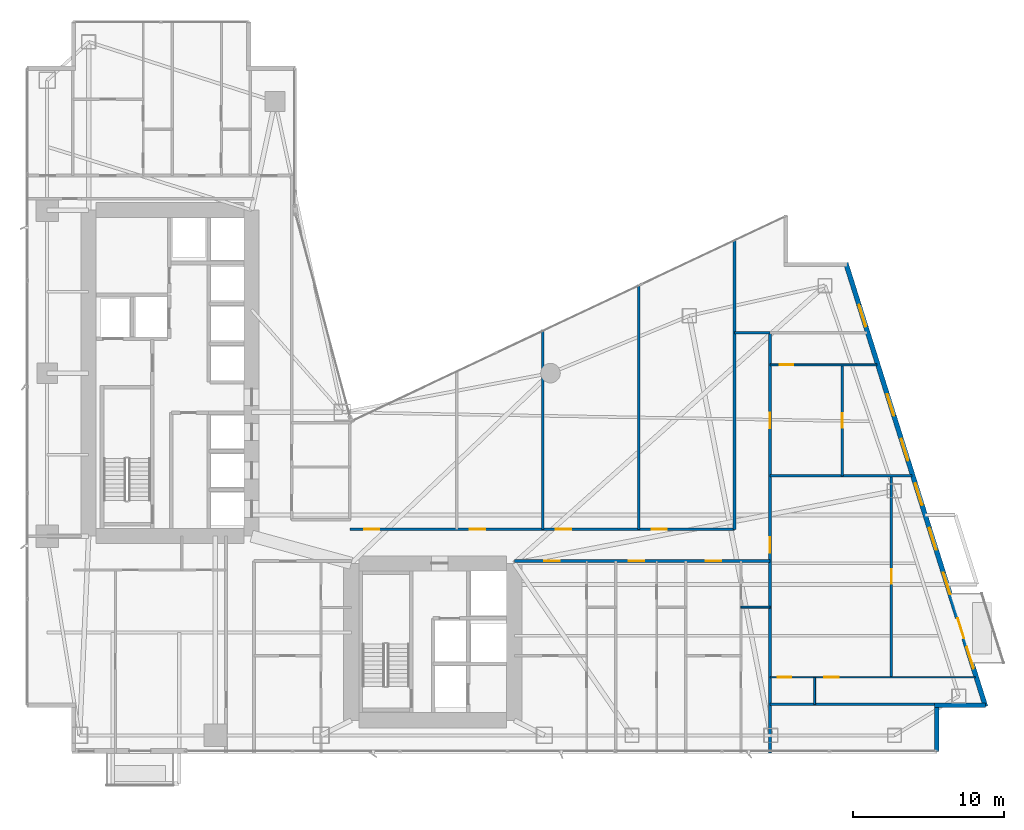
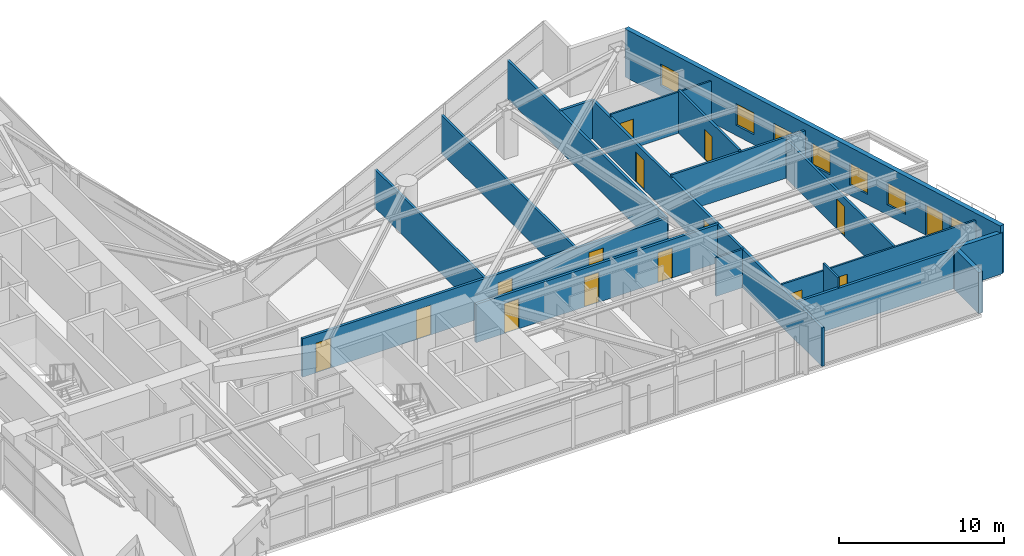
# One storey, part 24 of 30: 18 walls, 15 doors, 7 windows, 22 openings.
"""IFC4 building model written with IfcOpenShell, lengths in metres."""

from ifc_helpers import new_model, si_unit, direction, frame, frame_2d, origin, place, context, subcontext, project, spatial, rectangle, extrude, material, layer, layer_set, type_object, element, fill, save


model = new_model("IFC4")

# Units and contexts
model_context = context("Model", 3, precision=1e-05, world=origin(), true_north=direction((0.0, 1.0)))
body_context = subcontext(model_context, "Body", "Model", "MODEL_VIEW")
ifc_project = project(units=[si_unit("LENGTHUNIT", "METRE"), si_unit("AREAUNIT", "SQUARE_METRE"), si_unit("VOLUMEUNIT", "CUBIC_METRE"), si_unit("PLANEANGLEUNIT", "RADIAN"), si_unit("MASSUNIT", "GRAM", prefix="KILO")], contexts=[model_context])

# Site, building, storey
site_placement = place(None, origin())
site = spatial("IfcSite", under=ifc_project, at=site_placement, CompositionType="ELEMENT")
building_placement = place(site_placement, origin())
building = spatial("IfcBuilding", under=site, at=building_placement, Name="Calvorn Quay Hotel", CompositionType="ELEMENT")
storey_placement = place(building_placement, frame((0.0, 0.0, 54.60009765625)))
storey = spatial("IfcBuildingStorey", under=building, at=storey_placement, Name="L12", CompositionType="ELEMENT", Elevation=54.60009765625)

# Wall, openings, doors
ifc_material_1 = material(Name="Acoustic Fireboard Steel-Stud Partition", Category="steel")
ifc_layer_1 = layer(ifc_material_1, 0.179931640625)
ifc_layer_set_1 = layer_set([ifc_layer_1], Name="WL-CORR-FIRE-180")
wall_type_1 = type_object("IfcWallType", Name="WL-CORR-FIRE-180", PredefinedType="PARTITIONING", material=ifc_layer_set_1)
wall_1_placement = place(storey_placement, frame((32.39990234375, 15.14990234375, 0.0), z_axis=(0.0, 0.0, 1.0), x_axis=(1.0, 0.0, 0.0)))
wall_1 = element("IfcWall", 1, at=wall_1_placement, inside=storey, type_object=wall_type_1, Name="Partition Wall L12-WL-CORR-SE-S", PredefinedType="PARTITIONING", context=body_context, shape_type="SweptSolid", body=[
    extrude(rectangle(XDim=16.9501953125, YDim=0.179931640625, at=frame_2d((8.47509765625, 0.0))), origin(), (0.0, 0.0, 1.0), 2.83984375),
])
opening_1_placement = place(wall_1_placement, frame((1.989990234375, 0.0, 0.0)))
opening_1 = element("IfcOpeningElement", 2, at=opening_1_placement, cuts=wall_1, Name="Opening D-L12-U05", PredefinedType="OPENING", context=body_context, shape_type="SweptSolid", body=[
    extrude(rectangle(XDim=1.02001953125, YDim=2.199951171875, at=frame_2d((0.510009765625, 1.10009765625))), frame((0.0, 0.099853515625, 0.0), z_axis=(0.0, -1.0, 0.0), x_axis=(1.0, 0.0, 0.0)), (0.0, 0.0, 1.0), 0.199951171875),
])
opening_2_placement = place(wall_1_placement, frame((7.580078125, 0.0, 0.0)))
opening_2 = element("IfcOpeningElement", 3, at=opening_2_placement, cuts=wall_1, Name="Opening D-L12-U06", PredefinedType="OPENING", context=body_context, shape_type="SweptSolid", body=[
    extrude(rectangle(XDim=1.02001953125, YDim=2.199951171875, at=frame_2d((0.510009765625, 1.10009765625))), frame((0.0, 0.099853515625, 0.0), z_axis=(0.0, -1.0, 0.0), x_axis=(1.0, 0.0, 0.0)), (0.0, 0.0, 1.0), 0.199951171875),
])
opening_3_placement = place(wall_1_placement, frame((12.68994140625, 0.0, 0.0)))
opening_3 = element("IfcOpeningElement", 4, at=opening_3_placement, cuts=wall_1, Name="Opening D-L12-U07", PredefinedType="OPENING", context=body_context, shape_type="SweptSolid", body=[
    extrude(rectangle(XDim=1.02001953125, YDim=2.199951171875, at=frame_2d((0.510009765625, 1.10009765625))), frame((0.0, 0.099853515625, 0.0), z_axis=(0.0, -1.0, 0.0), x_axis=(1.0, 0.0, 0.0)), (0.0, 0.0, 1.0), 0.199951171875),
])
ifc_material_2 = material(Name="Solid-Core Walnut Veneer Hotel Fire Door")
door_type_1 = type_object("IfcDoorType", Name="DR-GUEST-ENTRY-1020", OperationType="NOTDEFINED", PredefinedType="DOOR", material=ifc_material_2)
door_1_placement = place(opening_1_placement, origin())
door_1 = element("IfcDoor", 5, at=door_1_placement, inside=storey, type_object=door_type_1, Name="South-East Unit Door U05 (L12)", OperationType="SINGLE_SWING_LEFT", OverallHeight=2.199951171875, OverallWidth=1.02001953125, PredefinedType="DOOR", context=body_context, shape_type="SweptSolid", body=[
    extrude(rectangle(XDim=1.02001953125, YDim=2.199951171875, at=frame_2d((0.510009765625, 1.10009765625))), frame((0.0, 0.02490234375, 0.0), z_axis=(0.0, -1.0, 0.0), x_axis=(1.0, 0.0, 0.0)), (0.0, 0.0, 1.0), 0.050048828125),
])
fill(opening_1, door_1)
door_2_placement = place(opening_2_placement, origin())
door_2 = element("IfcDoor", 6, at=door_2_placement, inside=storey, type_object=door_type_1, Name="South-East Unit Door U06 (L12)", OperationType="SINGLE_SWING_RIGHT", OverallHeight=2.199951171875, OverallWidth=1.02001953125, PredefinedType="DOOR", context=body_context, shape_type="SweptSolid", body=[
    extrude(rectangle(XDim=1.02001953125, YDim=2.199951171875, at=frame_2d((0.510009765625, 1.10009765625))), frame((0.0, 0.02490234375, 0.0), z_axis=(0.0, -1.0, 0.0), x_axis=(1.0, 0.0, 0.0)), (0.0, 0.0, 1.0), 0.050048828125),
])
fill(opening_2, door_2)
door_3_placement = place(opening_3_placement, origin())
door_3 = element("IfcDoor", 7, at=door_3_placement, inside=storey, type_object=door_type_1, Name="South-East Unit Door U07 (L12)", OperationType="SINGLE_SWING_LEFT", OverallHeight=2.199951171875, OverallWidth=1.02001953125, PredefinedType="DOOR", context=body_context, shape_type="SweptSolid", body=[
    extrude(rectangle(XDim=1.02001953125, YDim=2.199951171875, at=frame_2d((0.510009765625, 1.10009765625))), frame((0.0, 0.02490234375, 0.0), z_axis=(0.0, -1.0, 0.0), x_axis=(1.0, 0.0, 0.0)), (0.0, 0.0, 1.0), 0.050048828125),
])
fill(opening_3, door_3)

wall_2_placement = place(storey_placement, frame((21.5, 17.25, 0.0), z_axis=(0.0, 0.0, 1.0), x_axis=(1.0, 0.0, 0.0)))
wall_2 = element("IfcWall", 8, at=wall_2_placement, inside=storey, type_object=wall_type_1, Name="Partition Wall L12-WL-CORR-NE-N", PredefinedType="PARTITIONING", context=body_context, shape_type="SweptSolid", body=[
    extrude(rectangle(XDim=25.5, YDim=0.179931640625, at=frame_2d((12.75, 0.0))), origin(), (0.0, 0.0, 1.0), 2.83984375),
])
opening_4_placement = place(wall_2_placement, frame((0.949951171875, 0.0, 0.0)))
opening_4 = element("IfcOpeningElement", 9, at=opening_4_placement, cuts=wall_2, Name="Opening D-L12-NS1", PredefinedType="OPENING", context=body_context, shape_type="SweptSolid", body=[
    extrude(rectangle(XDim=1.02001953125, YDim=2.199951171875, at=frame_2d((0.510009765625, 1.10009765625))), frame((0.0, 0.099853515625, 0.0), z_axis=(0.0, -1.0, 0.0), x_axis=(1.0, 0.0, 0.0)), (0.0, 0.0, 1.0), 0.199951171875),
])
opening_5_placement = place(wall_2_placement, frame((7.949951171875, 0.0, 0.0)))
opening_5 = element("IfcOpeningElement", 10, at=opening_5_placement, cuts=wall_2, Name="Opening D-L12-NS2", PredefinedType="OPENING", context=body_context, shape_type="SweptSolid", body=[
    extrude(rectangle(XDim=1.02001953125, YDim=2.199951171875, at=frame_2d((0.510009765625, 1.10009765625))), frame((0.0, 0.099853515625, 0.0), z_axis=(0.0, -1.0, 0.0), x_axis=(1.0, 0.0, 0.0)), (0.0, 0.0, 1.0), 0.199951171875),
])
opening_6_placement = place(wall_2_placement, frame((13.64990234375, 0.0, 0.0)))
opening_6 = element("IfcOpeningElement", 11, at=opening_6_placement, cuts=wall_2, Name="Opening D-L12-NS3", PredefinedType="OPENING", context=body_context, shape_type="SweptSolid", body=[
    extrude(rectangle(XDim=1.02001953125, YDim=2.199951171875, at=frame_2d((0.510009765625, 1.10009765625))), frame((0.0, 0.099853515625, 0.0), z_axis=(0.0, -1.0, 0.0), x_axis=(1.0, 0.0, 0.0)), (0.0, 0.0, 1.0), 0.199951171875),
])
opening_7_placement = place(wall_2_placement, frame((20.0, 0.0, 0.0)))
opening_7 = element("IfcOpeningElement", 12, at=opening_7_placement, cuts=wall_2, Name="Opening D-L12-NS4", PredefinedType="OPENING", context=body_context, shape_type="SweptSolid", body=[
    extrude(rectangle(XDim=1.02001953125, YDim=2.199951171875, at=frame_2d((0.510009765625, 1.10009765625))), frame((0.0, 0.099853515625, 0.0), z_axis=(0.0, -1.0, 0.0), x_axis=(1.0, 0.0, 0.0)), (0.0, 0.0, 1.0), 0.199951171875),
])
door_4_placement = place(opening_4_placement, origin())
door_4 = element("IfcDoor", 13, at=door_4_placement, inside=storey, type_object=door_type_1, Name="Conservatory Salon Door 1 (L12)", OperationType="SINGLE_SWING_RIGHT", OverallHeight=2.199951171875, OverallWidth=1.02001953125, PredefinedType="DOOR", context=body_context, shape_type="SweptSolid", body=[
    extrude(rectangle(XDim=1.02001953125, YDim=2.199951171875, at=frame_2d((0.510009765625, 1.10009765625))), frame((0.0, 0.02490234375, 0.0), z_axis=(0.0, -1.0, 0.0), x_axis=(1.0, 0.0, 0.0)), (0.0, 0.0, 1.0), 0.050048828125),
])
fill(opening_4, door_4)
door_5_placement = place(opening_5_placement, origin())
door_5 = element("IfcDoor", 14, at=door_5_placement, inside=storey, type_object=door_type_1, Name="Conservatory Salon Door 2 (L12)", OperationType="SINGLE_SWING_LEFT", OverallHeight=2.199951171875, OverallWidth=1.02001953125, PredefinedType="DOOR", context=body_context, shape_type="SweptSolid", body=[
    extrude(rectangle(XDim=1.02001953125, YDim=2.199951171875, at=frame_2d((0.510009765625, 1.10009765625))), frame((0.0, 0.02490234375, 0.0), z_axis=(0.0, -1.0, 0.0), x_axis=(1.0, 0.0, 0.0)), (0.0, 0.0, 1.0), 0.050048828125),
])
fill(opening_5, door_5)
door_6_placement = place(opening_6_placement, origin())
door_6 = element("IfcDoor", 15, at=door_6_placement, inside=storey, type_object=door_type_1, Name="Conservatory Salon Door 3 (L12)", OperationType="SINGLE_SWING_RIGHT", OverallHeight=2.199951171875, OverallWidth=1.02001953125, PredefinedType="DOOR", context=body_context, shape_type="SweptSolid", body=[
    extrude(rectangle(XDim=1.02001953125, YDim=2.199951171875, at=frame_2d((0.510009765625, 1.10009765625))), frame((0.0, 0.02490234375, 0.0), z_axis=(0.0, -1.0, 0.0), x_axis=(1.0, 0.0, 0.0)), (0.0, 0.0, 1.0), 0.050048828125),
])
fill(opening_6, door_6)
door_7_placement = place(opening_7_placement, origin())
door_7 = element("IfcDoor", 16, at=door_7_placement, inside=storey, type_object=door_type_1, Name="Conservatory Salon Door 4 (L12)", OperationType="SINGLE_SWING_LEFT", OverallHeight=2.199951171875, OverallWidth=1.02001953125, PredefinedType="DOOR", context=body_context, shape_type="SweptSolid", body=[
    extrude(rectangle(XDim=1.02001953125, YDim=2.199951171875, at=frame_2d((0.510009765625, 1.10009765625))), frame((0.0, 0.02490234375, 0.0), z_axis=(0.0, -1.0, 0.0), x_axis=(1.0, 0.0, 0.0)), (0.0, 0.0, 1.0), 0.050048828125),
])
fill(opening_7, door_7)

# Walls
wall_3_placement = place(storey_placement, frame((47.0, 17.25, 0.0), z_axis=(0.0, 0.0, 1.0), x_axis=(0.0, 1.0, 0.0)))
element("IfcWall", 17, at=wall_3_placement, inside=storey, type_object=wall_type_1, Name="Partition Wall L12-WL-NE-END-E", PredefinedType="PARTITIONING", context=body_context, shape_type="SweptSolid", body=[
    extrude(rectangle(XDim=19.219970703125, YDim=0.179931640625, at=frame_2d((9.60986328125, 0.0))), origin(), (0.0, 0.0, 1.0), 2.83984375),
])
wall_4_placement = place(storey_placement, frame((49.35009765625, 5.659912109375, 0.0), z_axis=(0.0, 0.0, 1.0), x_axis=(1.0, 0.0, 0.0)))
element("IfcWall", 18, at=wall_4_placement, inside=storey, type_object=wall_type_1, Name="Partition Wall L12-WL-TIP-S", PredefinedType="PARTITIONING", context=body_context, shape_type="SweptSolid", body=[
    extrude(rectangle(XDim=11.0498046875, YDim=0.179931640625, at=frame_2d((5.52490234375, 0.0))), origin(), (0.0, 0.0, 1.0), 2.83984375),
])

# Wall, openings, doors
wall_5_placement = place(storey_placement, frame((49.35009765625, 2.43994140625, 0.0), z_axis=(0.0, 0.0, 1.0), x_axis=(0.0, 1.0, 0.0)))
wall_5 = element("IfcWall", 19, at=wall_5_placement, inside=storey, type_object=wall_type_1, Name="Partition Wall L12-WL-CORR-TIP-E", PredefinedType="PARTITIONING", context=body_context, shape_type="SweptSolid", body=[
    extrude(rectangle(XDim=27.840087890625, YDim=0.179931640625, at=frame_2d((13.919921875, 0.0))), origin(), (0.0, 0.0, 1.0), 2.83984375),
])
opening_8_placement = place(wall_5_placement, frame((13.260009765625, 0.0, 0.0)))
opening_8 = element("IfcOpeningElement", 20, at=opening_8_placement, cuts=wall_5, Name="Opening D-L12-U08", PredefinedType="OPENING", context=body_context, shape_type="SweptSolid", body=[
    extrude(rectangle(XDim=1.02001953125, YDim=2.199951171875, at=frame_2d((0.510009765625, 1.10009765625))), frame((0.0, 0.099853515625, 0.0), z_axis=(0.0, -1.0, 0.0), x_axis=(1.0, 0.0, 0.0)), (0.0, 0.0, 1.0), 0.199951171875),
])
opening_9_placement = place(wall_5_placement, frame((21.52001953125, 0.0, 0.0)))
opening_9 = element("IfcOpeningElement", 21, at=opening_9_placement, cuts=wall_5, Name="Opening D-L12-U09", PredefinedType="OPENING", context=body_context, shape_type="SweptSolid", body=[
    extrude(rectangle(XDim=1.02001953125, YDim=2.199951171875, at=frame_2d((0.510009765625, 1.10009765625))), frame((0.0, 0.099853515625, 0.0), z_axis=(0.0, -1.0, 0.0), x_axis=(1.0, 0.0, 0.0)), (0.0, 0.0, 1.0), 0.199951171875),
])
door_8_placement = place(opening_8_placement, origin())
door_8 = element("IfcDoor", 22, at=door_8_placement, inside=storey, type_object=door_type_1, Name="Terrace Suite Door U08 (L12)", OperationType="SINGLE_SWING_LEFT", OverallHeight=2.199951171875, OverallWidth=1.02001953125, PredefinedType="DOOR", context=body_context, shape_type="SweptSolid", body=[
    extrude(rectangle(XDim=1.02001953125, YDim=2.199951171875, at=frame_2d((0.510009765625, 1.10009765625))), frame((0.0, 0.02490234375, 0.0), z_axis=(0.0, -1.0, 0.0), x_axis=(1.0, 0.0, 0.0)), (0.0, 0.0, 1.0), 0.050048828125),
])
fill(opening_8, door_8)
door_9_placement = place(opening_9_placement, origin())
door_9 = element("IfcDoor", 23, at=door_9_placement, inside=storey, type_object=door_type_1, Name="Horizon Suite Door U09 (L12)", OperationType="SINGLE_SWING_RIGHT", OverallHeight=2.199951171875, OverallWidth=1.02001953125, PredefinedType="DOOR", context=body_context, shape_type="SweptSolid", body=[
    extrude(rectangle(XDim=1.02001953125, YDim=2.199951171875, at=frame_2d((0.510009765625, 1.10009765625))), frame((0.0, 0.02490234375, 0.0), z_axis=(0.0, -1.0, 0.0), x_axis=(1.0, 0.0, 0.0)), (0.0, 0.0, 1.0), 0.050048828125),
])
fill(opening_9, door_9)

# Walls
wall_6_placement = place(storey_placement, frame((47.0, 30.280029296875, 0.0), z_axis=(0.0, 0.0, 1.0), x_axis=(1.0, 0.0, 0.0)))
element("IfcWall", 24, at=wall_6_placement, inside=storey, type_object=wall_type_1, Name="Partition Wall L12-WL-CORR-TIP-NN", PredefinedType="PARTITIONING", context=body_context, shape_type="SweptSolid", body=[
    extrude(rectangle(XDim=2.35009765625, YDim=0.179931640625, at=frame_2d((1.175048828125, 0.0))), origin(), (0.0, 0.0, 1.0), 2.83984375),
])
ifc_material_3 = material(Name="Moisture-Resistant Tile-Backed Partition")
ifc_layer_2 = layer(ifc_material_3, 0.125)
ifc_layer_set_2 = layer_set([ifc_layer_2], Name="WL-ENSUITE-125")
wall_type_2 = type_object("IfcWallType", Name="WL-ENSUITE-125", PredefinedType="PARTITIONING", material=ifc_layer_set_2)
wall_7_placement = place(storey_placement, frame((47.419921875, 12.10009765625, 0.0), z_axis=(0.0, 0.0, 1.0), x_axis=(1.0, 0.0, 0.0)))
element("IfcWall", 25, at=wall_7_placement, inside=storey, type_object=wall_type_2, Name="Partition Wall L12-WL-U07-BDV", PredefinedType="PARTITIONING", context=body_context, shape_type="SweptSolid", body=[
    extrude(rectangle(XDim=1.93017578125, YDim=0.125, at=frame_2d((0.965087890625, 0.0))), origin(), (0.0, 0.0, 1.0), 2.83984375),
])
wall_8_placement = place(storey_placement, frame((52.300048828125, 5.659912109375, 0.0), z_axis=(0.0, 0.0, 1.0), x_axis=(0.0, 1.0, 0.0)))
element("IfcWall", 26, at=wall_8_placement, inside=storey, type_object=wall_type_2, Name="Partition Wall L12-WL-U08-BDV", PredefinedType="PARTITIONING", context=body_context, shape_type="SweptSolid", body=[
    extrude(rectangle(XDim=1.7900390625, YDim=0.125, at=frame_2d((0.89501953125, 0.0))), origin(), (0.0, 0.0, 1.0), 3.559814453125),
])

# Wall, openings, doors
wall_9_placement = place(storey_placement, frame((49.35009765625, 7.449951171875, 0.0), z_axis=(0.0, 0.0, 1.0), x_axis=(1.0, 0.0, 0.0)))
wall_9 = element("IfcWall", 27, at=wall_9_placement, inside=storey, type_object=wall_type_2, Name="Partition Wall L12-WL-U08-BH", PredefinedType="PARTITIONING", context=body_context, shape_type="SweptSolid", body=[
    extrude(rectangle(XDim=13.60986328125, YDim=0.125, at=frame_2d((6.804931640625, 0.0))), origin(), (0.0, 0.0, 1.0), 3.039794921875),
])
opening_10_placement = place(wall_9_placement, frame((0.5, 0.0, 0.0)))
opening_10 = element("IfcOpeningElement", 28, at=opening_10_placement, cuts=wall_9, Name="Opening D-L12-E08", PredefinedType="OPENING", context=body_context, shape_type="SweptSolid", body=[
    extrude(rectangle(XDim=0.89990234375, YDim=2.14990234375, at=frame_2d((0.449951171875, 1.074951171875))), frame((0.0, 0.072509765625, 0.0), z_axis=(0.0, -1.0, 0.0), x_axis=(1.0, 0.0, 0.0)), (0.0, 0.0, 1.0), 0.14501953125),
])
opening_11_placement = place(wall_9_placement, frame((3.60009765625, 0.0, 0.0)))
opening_11 = element("IfcOpeningElement", 29, at=opening_11_placement, cuts=wall_9, Name="Opening D-L12-S08", PredefinedType="OPENING", context=body_context, shape_type="SweptSolid", body=[
    extrude(rectangle(XDim=0.9599609375, YDim=2.199951171875, at=frame_2d((0.47998046875, 1.10009765625))), frame((0.0, 0.072509765625, 0.0), z_axis=(0.0, -1.0, 0.0), x_axis=(1.0, 0.0, 0.0)), (0.0, 0.0, 1.0), 0.14501953125),
])
ifc_material_4 = material(Name="Moisture-Sealed Timber En-Suite Door", Category="wood")
door_type_2 = type_object("IfcDoorType", Name="DR-ENSUITE-900", OperationType="NOTDEFINED", PredefinedType="DOOR", material=ifc_material_4)
door_10_placement = place(opening_10_placement, origin())
door_10 = element("IfcDoor", 30, at=door_10_placement, inside=storey, type_object=door_type_2, Name="En-Suite Door 08", OperationType="SINGLE_SWING_LEFT", OverallHeight=2.14990234375, OverallWidth=0.89990234375, PredefinedType="DOOR", context=body_context, shape_type="SweptSolid", body=[
    extrude(rectangle(XDim=0.89990234375, YDim=2.14990234375, at=frame_2d((0.449951171875, 1.074951171875))), frame((0.0, 0.02490234375, 0.0), z_axis=(0.0, -1.0, 0.0), x_axis=(1.0, 0.0, 0.0)), (0.0, 0.0, 1.0), 0.050048828125),
])
fill(opening_10, door_10)
ifc_material_5 = material(Name="Solid Timber Internal Suite Door", Category="wood")
door_type_3 = type_object("IfcDoorType", Name="DR-SUITE-INT-960", OperationType="NOTDEFINED", PredefinedType="DOOR", material=ifc_material_5)
door_11_placement = place(opening_11_placement, origin())
door_11 = element("IfcDoor", 31, at=door_11_placement, inside=storey, type_object=door_type_3, Name="Executive Work Office Door 08", OperationType="SINGLE_SWING_RIGHT", OverallHeight=2.199951171875, OverallWidth=0.9599609375, PredefinedType="DOOR", context=body_context, shape_type="SweptSolid", body=[
    extrude(rectangle(XDim=0.9599609375, YDim=2.199951171875, at=frame_2d((0.47998046875, 1.10009765625))), frame((0.0, 0.02490234375, 0.0), z_axis=(0.0, -1.0, 0.0), x_axis=(1.0, 0.0, 0.0)), (0.0, 0.0, 1.0), 0.050048828125),
])
fill(opening_11, door_11)

# Wall, opening, door
wall_10_placement = place(storey_placement, frame((49.35009765625, 28.14990234375, 0.0), z_axis=(0.0, 0.0, 1.0), x_axis=(1.0, 0.0, 0.0)))
wall_10 = element("IfcWall", 32, at=wall_10_placement, inside=storey, type_object=wall_type_2, Name="Partition Wall L12-WL-U09-BH", PredefinedType="PARTITIONING", context=body_context, shape_type="SweptSolid", body=[
    extrude(rectangle(XDim=7.079833984375, YDim=0.125, at=frame_2d((3.5400390625, 0.0))), origin(), (0.0, 0.0, 1.0), 3.039794921875),
])
opening_12_placement = place(wall_10_placement, frame((0.64990234375, 0.0, 0.0)))
opening_12 = element("IfcOpeningElement", 33, at=opening_12_placement, cuts=wall_10, Name="Opening D-L12-E09", PredefinedType="OPENING", context=body_context, shape_type="SweptSolid", body=[
    extrude(rectangle(XDim=0.89990234375, YDim=2.14990234375, at=frame_2d((0.449951171875, 1.074951171875))), frame((0.0, 0.072509765625, 0.0), z_axis=(0.0, -1.0, 0.0), x_axis=(1.0, 0.0, 0.0)), (0.0, 0.0, 1.0), 0.14501953125),
])
door_12_placement = place(opening_12_placement, origin())
door_12 = element("IfcDoor", 34, at=door_12_placement, inside=storey, type_object=door_type_2, Name="En-Suite Door 09", OperationType="SINGLE_SWING_LEFT", OverallHeight=2.14990234375, OverallWidth=0.89990234375, PredefinedType="DOOR", context=body_context, shape_type="SweptSolid", body=[
    extrude(rectangle(XDim=0.89990234375, YDim=2.14990234375, at=frame_2d((0.449951171875, 1.074951171875))), frame((0.0, 0.02490234375, 0.0), z_axis=(0.0, -1.0, 0.0), x_axis=(1.0, 0.0, 0.0)), (0.0, 0.0, 1.0), 0.050048828125),
])
fill(opening_12, door_12)

# Walls
ifc_material_6 = material(Name="Concrete C40", Category="concrete")
ifc_layer_3 = layer(ifc_material_6, 0.320068359375)
ifc_layer_set_3 = layer_set([ifc_layer_3], Name="WL-EXT-SPANDREL-320")
wall_type_3 = type_object("IfcWallType", Name="WL-EXT-SPANDREL-320", PredefinedType="SOLIDWALL", material=ifc_layer_set_3)
wall_11_placement = place(storey_placement, frame((60.39990234375, 2.52001953125, 0.0), z_axis=(0.0, 0.0, 1.0), x_axis=(0.0, 1.0, 0.0)))
element("IfcWall", 35, at=wall_11_placement, inside=storey, type_object=wall_type_3, Name="Notched Corner Spandrel L12-SE1", PredefinedType="SOLIDWALL", context=body_context, shape_type="SweptSolid", body=[
    extrude(rectangle(XDim=2.93994140625, YDim=0.280029296875, at=frame_2d((1.469970703125, 0.0))), origin(), (0.0, 0.0, 1.0), 3.039794921875),
])
wall_12_placement = place(storey_placement, frame((60.260009765625, 5.60009765625, 0.0), z_axis=(0.0, 0.0, 1.0), x_axis=(1.0, 0.0, 0.0)))
element("IfcWall", 36, at=wall_12_placement, inside=storey, type_object=wall_type_3, Name="Notched Corner Spandrel L12-SE2", PredefinedType="SOLIDWALL", context=body_context, shape_type="SweptSolid", body=[
    extrude(rectangle(XDim=3.3798828125, YDim=0.280029296875, at=frame_2d((1.68994140625, 0.0))), origin(), (0.0, 0.0, 1.0), 3.039794921875),
])

# Wall, openings, door, windows
wall_13_placement = place(storey_placement, frame((63.6298828125, 5.5048828125, 0.0), z_axis=(0.0, 0.0, 1.0), x_axis=(-0.300501856448, 0.953781229775, 0.0)))
wall_13 = element("IfcWall", 37, at=wall_13_placement, inside=storey, type_object=wall_type_3, Name="East Stepped Waterfront Exterior Wall (L12)", PredefinedType="SOLIDWALL", context=body_context, shape_type="SweptSolid", body=[
    extrude(rectangle(XDim=30.814453125, YDim=0.320068359375, at=frame_2d((15.4072265625, 0.0))), origin(), (0.0, 0.0, 1.0), 3.559814453125),
])
opening_13_placement = place(wall_13_placement, frame((4.7470703125, 0.0, 0.0)))
opening_13 = element("IfcOpeningElement", 38, at=opening_13_placement, cuts=wall_13, Name="Opening DB-L12-1", PredefinedType="OPENING", context=body_context, shape_type="SweptSolid", body=[
    extrude(rectangle(XDim=1.39990234375, YDim=2.25, at=frame_2d((0.699951171875, 1.125))), frame((0.0, 0.169921875, 0.0), z_axis=(0.0, -1.0, 0.0), x_axis=(1.0, 0.0, 0.0)), (0.0, 0.0, 1.0), 0.340087890625),
])
opening_14_placement = place(wall_13_placement, frame((2.64990234375, 0.0, 0.75)))
opening_14 = element("IfcOpeningElement", 39, at=opening_14_placement, cuts=wall_13, Name="Opening WG-L12-E1", PredefinedType="OPENING", context=body_context, shape_type="SweptSolid", body=[
    extrude(rectangle(XDim=1.5, YDim=1.60009765625, at=frame_2d((0.75, 0.800048828125))), frame((0.0, 0.169921875, 0.0), z_axis=(0.0, -1.0, 0.0), x_axis=(1.0, 0.0, 0.0)), (0.0, 0.0, 1.0), 0.340087890625),
])
opening_15_placement = place(wall_13_placement, frame((7.800048828125, 0.0, 0.75)))
opening_15 = element("IfcOpeningElement", 40, at=opening_15_placement, cuts=wall_13, Name="Opening WG-L12-E2", PredefinedType="OPENING", context=body_context, shape_type="SweptSolid", body=[
    extrude(rectangle(XDim=1.5, YDim=1.60009765625, at=frame_2d((0.75, 0.800048828125))), frame((0.0, 0.169921875, 0.0), z_axis=(0.0, -1.0, 0.0), x_axis=(1.0, 0.0, 0.0)), (0.0, 0.0, 1.0), 0.340087890625),
])
opening_16_placement = place(wall_13_placement, frame((10.89990234375, 0.0, 0.75)))
opening_16 = element("IfcOpeningElement", 41, at=opening_16_placement, cuts=wall_13, Name="Opening WG-L12-E3", PredefinedType="OPENING", context=body_context, shape_type="SweptSolid", body=[
    extrude(rectangle(XDim=1.5, YDim=1.60009765625, at=frame_2d((0.75, 0.800048828125))), frame((0.0, 0.169921875, 0.0), z_axis=(0.0, -1.0, 0.0), x_axis=(1.0, 0.0, 0.0)), (0.0, 0.0, 1.0), 0.340087890625),
])
opening_17_placement = place(wall_13_placement, frame((14.0, 0.0, 0.75)))
opening_17 = element("IfcOpeningElement", 42, at=opening_17_placement, cuts=wall_13, Name="Opening WG-L12-E4", PredefinedType="OPENING", context=body_context, shape_type="SweptSolid", body=[
    extrude(rectangle(XDim=1.5, YDim=1.60009765625, at=frame_2d((0.75, 0.800048828125))), frame((0.0, 0.169921875, 0.0), z_axis=(0.0, -1.0, 0.0), x_axis=(1.0, 0.0, 0.0)), (0.0, 0.0, 1.0), 0.340087890625),
])
opening_18_placement = place(wall_13_placement, frame((17.10009765625, 0.0, 0.75)))
opening_18 = element("IfcOpeningElement", 43, at=opening_18_placement, cuts=wall_13, Name="Opening WG-L12-E5", PredefinedType="OPENING", context=body_context, shape_type="SweptSolid", body=[
    extrude(rectangle(XDim=1.5, YDim=1.60009765625, at=frame_2d((0.75, 0.800048828125))), frame((0.0, 0.169921875, 0.0), z_axis=(0.0, -1.0, 0.0), x_axis=(1.0, 0.0, 0.0)), (0.0, 0.0, 1.0), 0.340087890625),
])
opening_19_placement = place(wall_13_placement, frame((20.199951171875, 0.0, 0.75)))
opening_19 = element("IfcOpeningElement", 44, at=opening_19_placement, cuts=wall_13, Name="Opening WG-L12-E6", PredefinedType="OPENING", context=body_context, shape_type="SweptSolid", body=[
    extrude(rectangle(XDim=1.5, YDim=1.60009765625, at=frame_2d((0.75, 0.800048828125))), frame((0.0, 0.169921875, 0.0), z_axis=(0.0, -1.0, 0.0), x_axis=(1.0, 0.0, 0.0)), (0.0, 0.0, 1.0), 0.340087890625),
])
opening_20_placement = place(wall_13_placement, frame((26.39990234375, 0.0, 0.75)))
opening_20 = element("IfcOpeningElement", 45, at=opening_20_placement, cuts=wall_13, Name="Opening WG-L12-E7", PredefinedType="OPENING", context=body_context, shape_type="SweptSolid", body=[
    extrude(rectangle(XDim=1.5, YDim=1.60009765625, at=frame_2d((0.75, 0.800048828125))), frame((0.0, 0.169921875, 0.0), z_axis=(0.0, -1.0, 0.0), x_axis=(1.0, 0.0, 0.0)), (0.0, 0.0, 1.0), 0.340087890625),
])
ifc_material_7 = material(Name="Typhoon-Rated Low-E Aluminium Terrace Door", Category="aluminium")
door_type_4 = type_object("IfcDoorType", Name="DR-BALCONY-GLZ-1400", OperationType="NOTDEFINED", PredefinedType="DOOR", material=ifc_material_7)
door_13_placement = place(opening_13_placement, origin())
door_13 = element("IfcDoor", 46, at=door_13_placement, inside=storey, type_object=door_type_4, Name="Tree Balcony Terrace Door L12-BALC-E", OperationType="SINGLE_SWING_LEFT", OverallHeight=2.25, OverallWidth=1.39990234375, PredefinedType="DOOR", context=body_context, shape_type="SweptSolid", body=[
    extrude(rectangle(XDim=1.39990234375, YDim=2.25, at=frame_2d((0.699951171875, 1.125))), frame((0.0, 0.02490234375, 0.0), z_axis=(0.0, -1.0, 0.0), x_axis=(1.0, 0.0, 0.0)), (0.0, 0.0, 1.0), 0.050048828125),
])
fill(opening_13, door_13)
ifc_material_8 = material(Name="Self-Closing Class B Fire Window")
window_type = type_object("IfcWindowType", Name="WIN-REFUGE-1500x1600", PartitioningType="SINGLE_PANEL", PredefinedType="WINDOW", material=ifc_material_8)
window_1_placement = place(opening_14_placement, origin())
window_1 = element("IfcWindow", 47, at=window_1_placement, inside=storey, type_object=window_type, Name="East Facade Window L12-E1", OverallHeight=1.60009765625, OverallWidth=1.5, PartitioningType="SINGLE_PANEL", PredefinedType="WINDOW", context=body_context, shape_type="SweptSolid", body=[
    extrude(rectangle(XDim=1.5, YDim=1.60009765625, at=frame_2d((0.75, 0.800048828125))), frame((0.0, 0.030029296875, 0.0), z_axis=(0.0, -1.0, 0.0), x_axis=(1.0, 0.0, 0.0)), (0.0, 0.0, 1.0), 0.06005859375),
])
fill(opening_14, window_1)
window_2_placement = place(opening_15_placement, origin())
window_2 = element("IfcWindow", 48, at=window_2_placement, inside=storey, type_object=window_type, Name="East Facade Window L12-E2", OverallHeight=1.60009765625, OverallWidth=1.5, PartitioningType="SINGLE_PANEL", PredefinedType="WINDOW", context=body_context, shape_type="SweptSolid", body=[
    extrude(rectangle(XDim=1.5, YDim=1.60009765625, at=frame_2d((0.75, 0.800048828125))), frame((0.0, 0.030029296875, 0.0), z_axis=(0.0, -1.0, 0.0), x_axis=(1.0, 0.0, 0.0)), (0.0, 0.0, 1.0), 0.06005859375),
])
fill(opening_15, window_2)
window_3_placement = place(opening_16_placement, origin())
window_3 = element("IfcWindow", 49, at=window_3_placement, inside=storey, type_object=window_type, Name="East Facade Window L12-E3", OverallHeight=1.60009765625, OverallWidth=1.5, PartitioningType="SINGLE_PANEL", PredefinedType="WINDOW", context=body_context, shape_type="SweptSolid", body=[
    extrude(rectangle(XDim=1.5, YDim=1.60009765625, at=frame_2d((0.75, 0.800048828125))), frame((0.0, 0.030029296875, 0.0), z_axis=(0.0, -1.0, 0.0), x_axis=(1.0, 0.0, 0.0)), (0.0, 0.0, 1.0), 0.06005859375),
])
fill(opening_16, window_3)
window_4_placement = place(opening_17_placement, origin())
window_4 = element("IfcWindow", 50, at=window_4_placement, inside=storey, type_object=window_type, Name="East Facade Window L12-E4", OverallHeight=1.60009765625, OverallWidth=1.5, PartitioningType="SINGLE_PANEL", PredefinedType="WINDOW", context=body_context, shape_type="SweptSolid", body=[
    extrude(rectangle(XDim=1.5, YDim=1.60009765625, at=frame_2d((0.75, 0.800048828125))), frame((0.0, 0.030029296875, 0.0), z_axis=(0.0, -1.0, 0.0), x_axis=(1.0, 0.0, 0.0)), (0.0, 0.0, 1.0), 0.06005859375),
])
fill(opening_17, window_4)
window_5_placement = place(opening_18_placement, origin())
window_5 = element("IfcWindow", 51, at=window_5_placement, inside=storey, type_object=window_type, Name="East Facade Window L12-E5", OverallHeight=1.60009765625, OverallWidth=1.5, PartitioningType="SINGLE_PANEL", PredefinedType="WINDOW", context=body_context, shape_type="SweptSolid", body=[
    extrude(rectangle(XDim=1.5, YDim=1.60009765625, at=frame_2d((0.75, 0.800048828125))), frame((0.0, 0.030029296875, 0.0), z_axis=(0.0, -1.0, 0.0), x_axis=(1.0, 0.0, 0.0)), (0.0, 0.0, 1.0), 0.06005859375),
])
fill(opening_18, window_5)
window_6_placement = place(opening_19_placement, origin())
window_6 = element("IfcWindow", 52, at=window_6_placement, inside=storey, type_object=window_type, Name="East Facade Window L12-E6", OverallHeight=1.60009765625, OverallWidth=1.5, PartitioningType="SINGLE_PANEL", PredefinedType="WINDOW", context=body_context, shape_type="SweptSolid", body=[
    extrude(rectangle(XDim=1.5, YDim=1.60009765625, at=frame_2d((0.75, 0.800048828125))), frame((0.0, 0.030029296875, 0.0), z_axis=(0.0, -1.0, 0.0), x_axis=(1.0, 0.0, 0.0)), (0.0, 0.0, 1.0), 0.06005859375),
])
fill(opening_19, window_6)
window_7_placement = place(opening_20_placement, origin())
window_7 = element("IfcWindow", 53, at=window_7_placement, inside=storey, type_object=window_type, Name="East Facade Window L12-E7", OverallHeight=1.60009765625, OverallWidth=1.5, PartitioningType="SINGLE_PANEL", PredefinedType="WINDOW", context=body_context, shape_type="SweptSolid", body=[
    extrude(rectangle(XDim=1.5, YDim=1.60009765625, at=frame_2d((0.75, 0.800048828125))), frame((0.0, 0.030029296875, 0.0), z_axis=(0.0, -1.0, 0.0), x_axis=(1.0, 0.0, 0.0)), (0.0, 0.0, 1.0), 0.06005859375),
])
fill(opening_20, window_7)

# Walls
ifc_material_9 = material(Name="Double-Stud Acoustic Gypsum Partition")
ifc_layer_4 = layer(ifc_material_9, 0.159912109375)
ifc_layer_set_4 = layer_set([ifc_layer_4], Name="WL-INTERSUITE-160")
wall_type_4 = type_object("IfcWallType", Name="WL-INTERSUITE-160", PredefinedType="PARTITIONING", material=ifc_layer_set_4)
wall_14_placement = place(storey_placement, frame((34.300048828125, 17.25, 0.0), z_axis=(0.0, 0.0, 1.0), x_axis=(0.0, 1.0, 0.0)))
element("IfcWall", 54, at=wall_14_placement, inside=storey, type_object=wall_type_4, Name="Partition Wall L12-WL-NE-DIV-2", PredefinedType="PARTITIONING", context=body_context, shape_type="SweptSolid", body=[
    extrude(rectangle(XDim=13.22998046875, YDim=0.159912109375, at=frame_2d((6.614990234375, 0.0))), origin(), (0.0, 0.0, 1.0), 2.83984375),
])
wall_15_placement = place(storey_placement, frame((40.64990234375, 17.25, 0.0), z_axis=(0.0, 0.0, 1.0), x_axis=(0.0, 1.0, 0.0)))
element("IfcWall", 55, at=wall_15_placement, inside=storey, type_object=wall_type_4, Name="Partition Wall L12-WL-NE-DIV-3", PredefinedType="PARTITIONING", context=body_context, shape_type="SweptSolid", body=[
    extrude(rectangle(XDim=16.22998046875, YDim=0.159912109375, at=frame_2d((8.114990234375, 0.0))), origin(), (0.0, 0.0, 1.0), 2.83984375),
])

# Wall, opening, door
wall_16_placement = place(storey_placement, frame((57.389892578125, 7.449951171875, 0.0), z_axis=(0.0, 0.0, 1.0), x_axis=(0.0, 1.0, 0.0)))
wall_16 = element("IfcWall", 56, at=wall_16_placement, inside=storey, type_object=wall_type_4, Name="Partition Wall L12-WL-U08-MSP", PredefinedType="PARTITIONING", context=body_context, shape_type="SweptSolid", body=[
    extrude(rectangle(XDim=13.35009765625, YDim=0.159912109375, at=frame_2d((6.675048828125, 0.0))), origin(), (0.0, 0.0, 1.0), 2.83984375),
])
opening_21_placement = place(wall_16_placement, frame((6.199951171875, 0.0, 0.0)))
opening_21 = element("IfcOpeningElement", 57, at=opening_21_placement, cuts=wall_16, Name="Opening D-L12-M08", PredefinedType="OPENING", context=body_context, shape_type="SweptSolid", body=[
    extrude(rectangle(XDim=0.9599609375, YDim=2.199951171875, at=frame_2d((0.47998046875, 1.10009765625))), frame((0.0, 0.08984375, 0.0), z_axis=(0.0, -1.0, 0.0), x_axis=(1.0, 0.0, 0.0)), (0.0, 0.0, 1.0), 0.179931640625),
])
door_14_placement = place(opening_21_placement, origin())
door_14 = element("IfcDoor", 58, at=door_14_placement, inside=storey, type_object=door_type_3, Name="Suite Bedroom Door 08", OperationType="SINGLE_SWING_LEFT", OverallHeight=2.199951171875, OverallWidth=0.9599609375, PredefinedType="DOOR", context=body_context, shape_type="SweptSolid", body=[
    extrude(rectangle(XDim=0.9599609375, YDim=2.199951171875, at=frame_2d((0.47998046875, 1.10009765625))), frame((0.0, 0.02490234375, 0.0), z_axis=(0.0, -1.0, 0.0), x_axis=(1.0, 0.0, 0.0)), (0.0, 0.0, 1.0), 0.050048828125),
])
fill(opening_21, door_14)

wall_17_placement = place(storey_placement, frame((54.1298828125, 20.800048828125, 0.0), z_axis=(0.0, 0.0, 1.0), x_axis=(0.0, 1.0, 0.0)))
wall_17 = element("IfcWall", 59, at=wall_17_placement, inside=storey, type_object=wall_type_4, Name="Partition Wall L12-WL-U09-MSP", PredefinedType="PARTITIONING", context=body_context, shape_type="SweptSolid", body=[
    extrude(rectangle(XDim=7.349853515625, YDim=0.159912109375, at=frame_2d((3.6748046875, 0.0))), origin(), (0.0, 0.0, 1.0), 3.18994140625),
])
opening_22_placement = place(wall_17_placement, frame((3.18994140625, 0.0, 0.0)))
opening_22 = element("IfcOpeningElement", 60, at=opening_22_placement, cuts=wall_17, Name="Opening D-L12-M09", PredefinedType="OPENING", context=body_context, shape_type="SweptSolid", body=[
    extrude(rectangle(XDim=0.9599609375, YDim=2.199951171875, at=frame_2d((0.47998046875, 1.10009765625))), frame((0.0, 0.08984375, 0.0), z_axis=(0.0, -1.0, 0.0), x_axis=(1.0, 0.0, 0.0)), (0.0, 0.0, 1.0), 0.179931640625),
])
door_15_placement = place(opening_22_placement, origin())
door_15 = element("IfcDoor", 61, at=door_15_placement, inside=storey, type_object=door_type_3, Name="Suite Bedroom Door 09", OperationType="SINGLE_SWING_LEFT", OverallHeight=2.199951171875, OverallWidth=0.9599609375, PredefinedType="DOOR", context=body_context, shape_type="SweptSolid", body=[
    extrude(rectangle(XDim=0.9599609375, YDim=2.199951171875, at=frame_2d((0.47998046875, 1.10009765625))), frame((0.0, 0.02490234375, 0.0), z_axis=(0.0, -1.0, 0.0), x_axis=(1.0, 0.0, 0.0)), (0.0, 0.0, 1.0), 0.050048828125),
])
fill(opening_22, door_15)

# Wall
wall_18_placement = place(storey_placement, frame((49.35009765625, 20.800048828125, 0.0), z_axis=(0.0, 0.0, 1.0), x_axis=(1.0, 0.0, 0.0)))
element("IfcWall", 62, at=wall_18_placement, inside=storey, type_object=wall_type_4, Name="Partition Wall L12-WL-TIP-DIV", PredefinedType="PARTITIONING", context=body_context, shape_type="SweptSolid", body=[
    extrude(rectangle(XDim=9.39990234375, YDim=0.159912109375, at=frame_2d((4.699951171875, 0.0))), origin(), (0.0, 0.0, 1.0), 3.039794921875),
])

save(model, "model.ifc")
